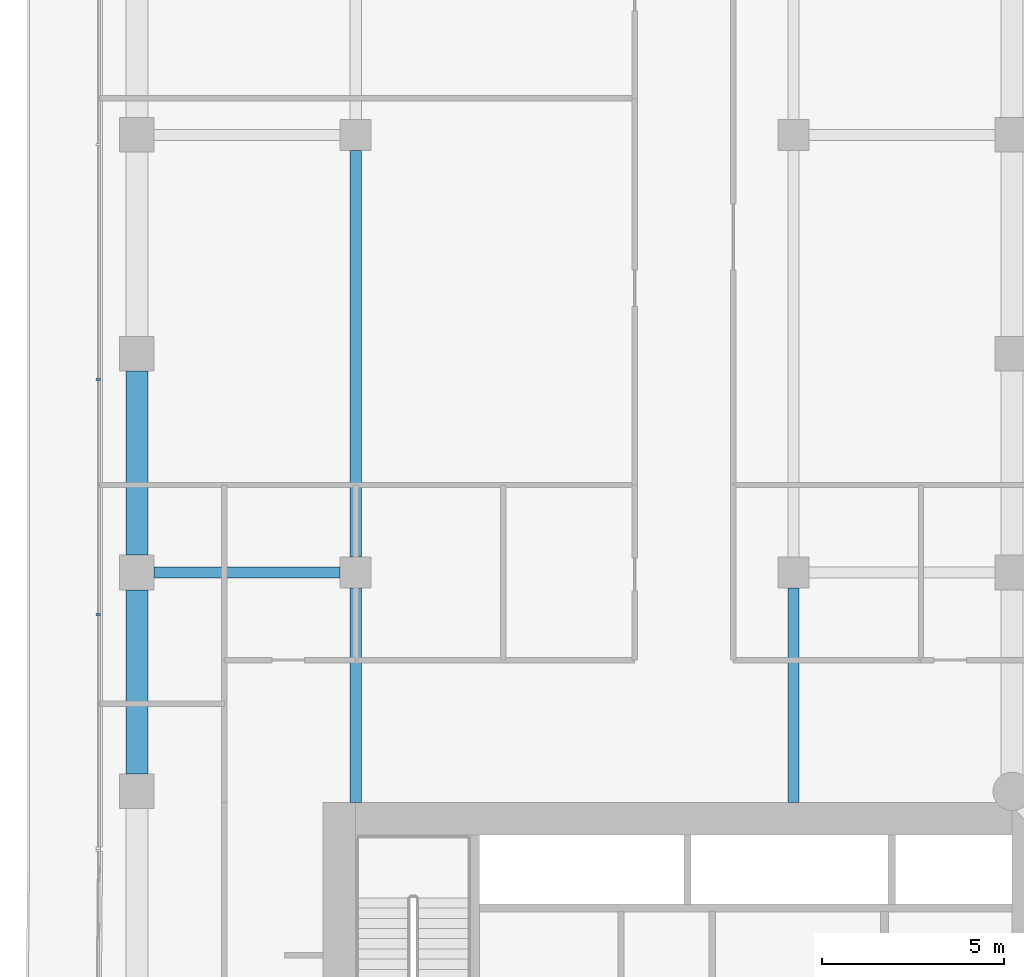
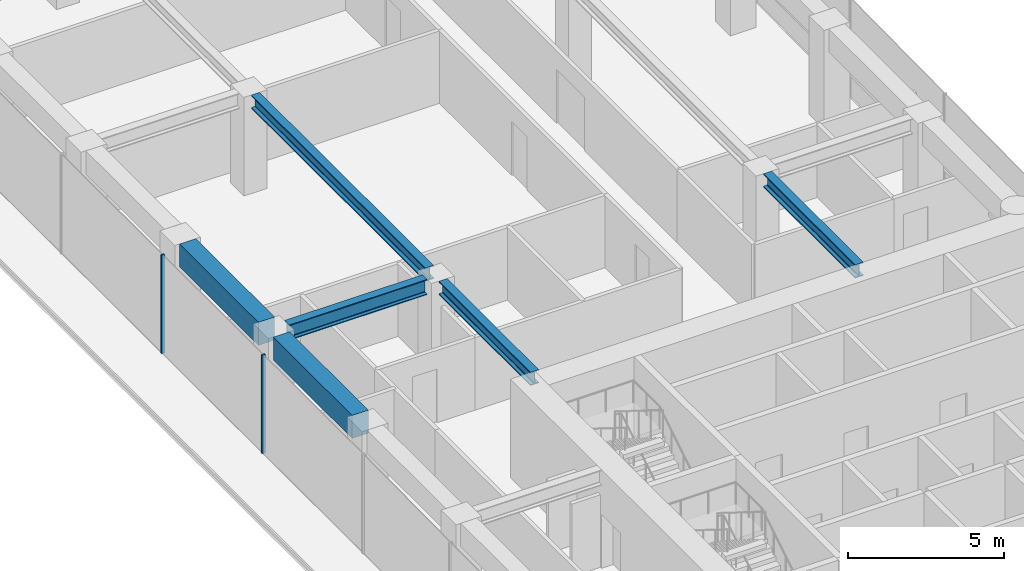
# One storey, part 12 of 29: 6 beams, 2 members, 1 element without a shape of its own.
"""IFC4 building model written with IfcOpenShell, lengths in metres."""

from ifc_helpers import new_model, si_unit, direction, frame, origin, origin_2d, place, context, subcontext, project, spatial, rectangle, i_section, extrude, material, layer, layer_set, material_profile, profile_set, type_object, element, aggregate, save


model = new_model("IFC4")

# Units and contexts
model_context = context("Model", 3, precision=1e-05, world=origin(), true_north=direction((0.0, 1.0)))
body_context = subcontext(model_context, "Body", "Model", "MODEL_VIEW")
ifc_project = project(units=[si_unit("LENGTHUNIT", "METRE"), si_unit("AREAUNIT", "SQUARE_METRE"), si_unit("VOLUMEUNIT", "CUBIC_METRE"), si_unit("PLANEANGLEUNIT", "RADIAN"), si_unit("MASSUNIT", "GRAM", prefix="KILO")], contexts=[model_context])

# Site, building, storey
site_placement = place(None, origin())
site = spatial("IfcSite", under=ifc_project, at=site_placement, CompositionType="ELEMENT")
building_placement = place(site_placement, origin())
building = spatial("IfcBuilding", under=site, at=building_placement, Name="Welwitschia Terrace Campus", CompositionType="ELEMENT")
storey_placement = place(building_placement, frame((0.0, 0.0, 50.0)))
storey = spatial("IfcBuildingStorey", under=building, at=storey_placement, Name="L11", CompositionType="ELEMENT", Elevation=50.0)

# Beams
ifc_material_1 = material(Name="Steel S355", Category="steel")
ifc_material_profile_1 = material_profile(ifc_material_1, i_section(OverallWidth=0.305908203125, OverallDepth=0.52392578125, WebThickness=0.02099609375, FlangeThickness=0.0400390625, FilletRadius=0.027099609375, at=origin_2d()))
ifc_profile_set_1 = profile_set([ifc_material_profile_1], Name="Steel S355")
beam_type_1 = type_object("IfcBeamType", Name="Interior girder HE 500 M", PredefinedType="BEAM", material=ifc_profile_set_1)
beam_1_placement = place(storey_placement, frame((6.0, 25.700927734375, 3.587890625), z_axis=(0.0, 1.0, 0.0), x_axis=(-1.0, 0.0, 0.0)))
element("IfcBeam", 1, at=beam_1_placement, inside=storey, type_object=beam_type_1, Name="Girder GB2", PredefinedType="BEAM", context=body_context, shape_type="SweptSolid", body=[
    extrude(i_section(OverallWidth=0.305908203125, OverallDepth=0.52392578125, WebThickness=0.02099609375, FlangeThickness=0.0400390625, FilletRadius=0.027099609375, at=origin_2d()), origin(), (0.0, 0.0, 1.0), 5.87353515625),
])
beam_2_placement = place(storey_placement, frame((6.0, 32.425537109375, 3.587890625), z_axis=(0.0, 1.0, 0.0), x_axis=(-1.0, 0.0, 0.0)))
element("IfcBeam", 2, at=beam_2_placement, inside=storey, type_object=beam_type_1, Name="Girder GB2", PredefinedType="BEAM", context=body_context, shape_type="SweptSolid", body=[
    extrude(i_section(OverallWidth=0.305908203125, OverallDepth=0.52392578125, WebThickness=0.02099609375, FlangeThickness=0.0400390625, FilletRadius=0.027099609375, at=origin_2d()), origin(), (0.0, 0.0, 1.0), 11.14892578125),
])
beam_3_placement = place(storey_placement, frame((18.0, 25.700927734375, 3.587890625), z_axis=(0.0, 1.0, 0.0), x_axis=(-1.0, 0.0, 0.0)))
element("IfcBeam", 3, at=beam_3_placement, inside=storey, type_object=beam_type_1, Name="Girder GB2", PredefinedType="BEAM", context=body_context, shape_type="SweptSolid", body=[
    extrude(i_section(OverallWidth=0.305908203125, OverallDepth=0.52392578125, WebThickness=0.02099609375, FlangeThickness=0.0400390625, FilletRadius=0.027099609375, at=origin_2d()), origin(), (0.0, 0.0, 1.0), 5.87353515625),
])

# Curtain wall, members
ifc_material_2 = material(Name="Bronze anodised aluminium", Category="aluminium")
ifc_layer = layer(ifc_material_2, 0.1201171875)
ifc_layer_set = layer_set([ifc_layer], Name="Bronze anodised aluminium")
curtain_wall_type = type_object("IfcCurtainWallType", Name="Curtain wall CW2 tower 6000", PredefinedType="NOTDEFINED", material=ifc_layer_set)
curtain_wall_placement = place(storey_placement, origin())
curtain_wall = element("IfcCurtainWall", 4, at=curtain_wall_placement, inside=storey, type_object=curtain_wall_type, Name="CW L11.10.0", PredefinedType="NOTDEFINED")
ifc_material_3 = material(Name="Bronze anodised aluminium", Category="aluminium")
ifc_material_profile_2 = material_profile(ifc_material_3, rectangle(XDim=0.1201171875, YDim=0.06005859375, at=origin_2d()))
ifc_profile_set_2 = profile_set([ifc_material_profile_2], Name="Bronze anodised aluminium")
member_type = type_object("IfcMemberType", Name="Mullion 60x120", PredefinedType="MULLION", material=ifc_profile_set_2)
member_1_placement = place(storey_placement, frame((-1.05810546875, 37.291748046875, 0.0), z_axis=(0.0, 0.0, 1.0), x_axis=(1.0, 0.0, 0.0)))
member_1 = element("IfcMember", 5, at=member_1_placement, type_object=member_type, Name="Mullion L11.10.0.4", PredefinedType="MULLION", context=body_context, shape_type="SweptSolid", body=[
    extrude(rectangle(XDim=0.1201171875, YDim=0.06005859375, at=origin_2d()), origin(), (0.0, 0.0, 1.0), 3.85009765625),
])
member_2_placement = place(storey_placement, frame((-1.05810546875, 30.850341796875, 0.0), z_axis=(0.0, 0.0, 1.0), x_axis=(1.0, 0.0, 0.0)))
member_2 = element("IfcMember", 6, at=member_2_placement, type_object=member_type, Name="Mullion L11.10.0.5", PredefinedType="MULLION", context=body_context, shape_type="SweptSolid", body=[
    extrude(rectangle(XDim=0.1201171875, YDim=0.06005859375, at=origin_2d()), origin(), (0.0, 0.0, 1.0), 3.85009765625),
])
aggregate(curtain_wall, [member_1, member_2])

# Beams
ifc_material_4 = material(Name="Steel S355", Category="steel")
ifc_material_profile_3 = material_profile(ifc_material_4, i_section(OverallWidth=0.300048828125, OverallDepth=0.60009765625, WebThickness=0.015380859375, FlangeThickness=0.030029296875, FilletRadius=0.027099609375, at=origin_2d()))
ifc_profile_set_3 = profile_set([ifc_material_profile_3], Name="Steel S355")
beam_type_2 = type_object("IfcBeamType", Name="Primary beam HE 600 B", PredefinedType="BEAM", material=ifc_profile_set_3)
beam_4_placement = place(storey_placement, frame((0.4755859375, 32.0, 3.550048828125), z_axis=(1.0, 0.0, 0.0), x_axis=(0.0, 1.0, 0.0)))
element("IfcBeam", 7, at=beam_4_placement, inside=storey, type_object=beam_type_2, Name="Primary beam PB2", PredefinedType="BEAM", context=body_context, shape_type="SweptSolid", body=[
    extrude(i_section(OverallWidth=0.300048828125, OverallDepth=0.60009765625, WebThickness=0.015380859375, FlangeThickness=0.030029296875, FilletRadius=0.027099609375, at=origin_2d()), origin(), (0.0, 0.0, 1.0), 5.098876953125),
])
ifc_material_5 = material(Name="Concrete C60/75", Category="concrete")
ifc_material_profile_4 = material_profile(ifc_material_5, rectangle(XDim=0.60009765625, YDim=0.89990234375, at=origin_2d()))
ifc_profile_set_4 = profile_set([ifc_material_profile_4], Name="Concrete C60/75")
beam_type_3 = type_object("IfcBeamType", Name="Ring spandrel 600x900", PredefinedType="SPANDREL", material=ifc_profile_set_4)
for number, where, z_axis, x_axis, name in (
    (8, (0.0, 37.5244140625, 3.39990234375), (0.0, -1.0, 0.0), (1.0, 0.0, 0.0), "Spandrel SP2"),
    (9, (0.0, 31.5244140625, 3.39990234375), (0.0, -1.0, 0.0), (1.0, 0.0, 0.0), "Spandrel SP2"),
):
    element("IfcBeam", number, at=place(storey_placement, frame(where, z_axis=z_axis, x_axis=x_axis)), inside=storey, type_object=beam_type_3, Name=name, PredefinedType="SPANDREL", context=body_context, shape_type="SweptSolid", body=[
        extrude(rectangle(XDim=0.60009765625, YDim=0.89990234375, at=origin_2d()), origin(), (0.0, 0.0, 1.0), 5.048828125),
    ])

save(model, "model.ifc")
